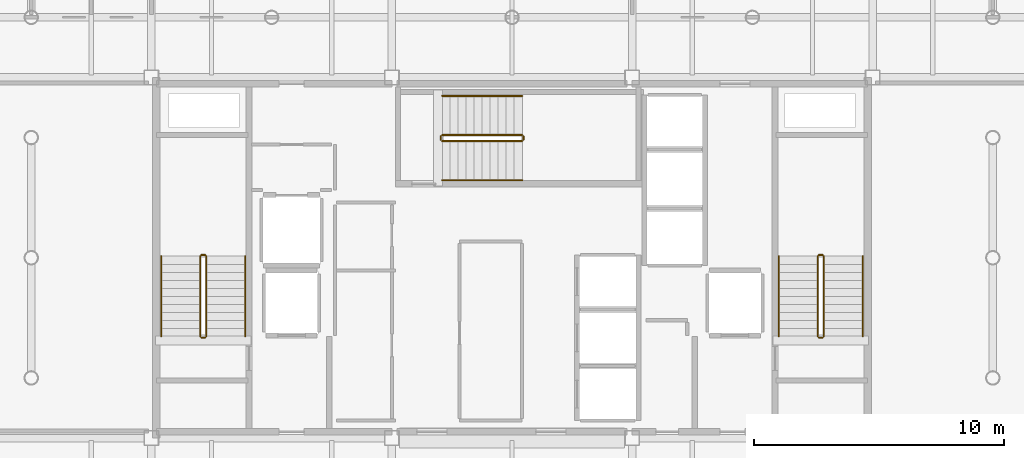
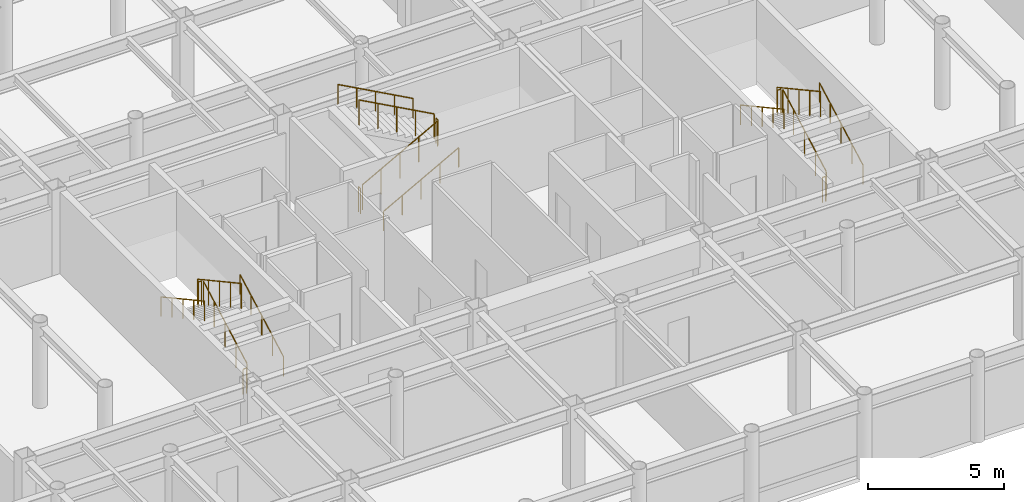
# One storey, part 21 of 21: 18 railings.
"""IFC4 building model written with IfcOpenShell, lengths in metres."""

from ifc_helpers import new_model, si_unit, direction, frame, origin, origin_2d, place, context, subcontext, project, spatial, circle, extrude, material, layer, layer_set, type_object, element, save


model = new_model("IFC4")

# Units and contexts
model_context = context("Model", 3, precision=1e-05, world=origin(), true_north=direction((0.0, 1.0)))
body_context = subcontext(model_context, "Body", "Model", "MODEL_VIEW")
ifc_project = project(units=[si_unit("LENGTHUNIT", "METRE"), si_unit("AREAUNIT", "SQUARE_METRE"), si_unit("VOLUMEUNIT", "CUBIC_METRE"), si_unit("PLANEANGLEUNIT", "RADIAN"), si_unit("MASSUNIT", "GRAM", prefix="KILO")], contexts=[model_context])

# Site, building, storey
site_placement = place(None, origin())
site = spatial("IfcSite", under=ifc_project, at=site_placement, CompositionType="ELEMENT")
building_placement = place(site_placement, origin())
building = spatial("IfcBuilding", under=site, at=building_placement, Name="Kallvorn Hotel Tower", CompositionType="ELEMENT")
storey_placement = place(building_placement, frame((0.0, 0.0, 268.5)))
storey = spatial("IfcBuildingStorey", under=building, at=storey_placement, Name="L67", CompositionType="ELEMENT", Elevation=268.5)

# Railings
ifc_material_1 = material(Name="Brushed stainless-steel tubular railing", Category="steel")
ifc_layer_1 = layer(ifc_material_1, 0.050048828125)
ifc_layer_set_1 = layer_set([ifc_layer_1], Name="RL_STAIR_GUARD")
railing_type_1 = type_object("IfcRailingType", Name="RL_STAIR_GUARD", PredefinedType="GUARDRAIL", material=ifc_layer_set_1)
railing_1_placement = place(storey_placement, frame((-12.2099609375, -3.139892578125, 0.175048828125)))
element("IfcRailing", 1, at=railing_1_placement, inside=storey, type_object=railing_type_1, Name="L67 ST1 stair guard 1", PredefinedType="GUARDRAIL", context=body_context, shape_type="SweptSolid", body=[
    extrude(circle(Radius=0.02392578125, at=origin_2d()), frame((0.0, 0.0, 1.1259765625), z_axis=(0.0, 0.877368057402, 0.479817977833), x_axis=(-1.0, 0.0, 0.0)), (0.0, 0.0, 1.0), 3.647216796875),
    extrude(circle(Radius=0.02099609375, at=origin_2d()), origin(), (0.0, 0.0, 1.0), 1.101806640625),
    extrude(circle(Radius=0.02099609375, at=origin_2d()), frame((0.0, 0.800048828125, 0.4375)), (0.0, 0.0, 1.0), 1.101806640625),
    extrude(circle(Radius=0.02099609375, at=origin_2d()), frame((0.0, 1.60009765625, 0.875)), (0.0, 0.0, 1.0), 1.101806640625),
    extrude(circle(Radius=0.02099609375, at=origin_2d()), frame((0.0, 2.39990234375, 1.3125)), (0.0, 0.0, 1.0), 1.101806640625),
    extrude(circle(Radius=0.02099609375, at=origin_2d()), frame((0.0, 3.199951171875, 1.75)), (0.0, 0.0, 1.0), 1.101806640625),
])
railing_2_placement = place(storey_placement, frame((-12.260009765625, 0.110107421875, 1.925048828125)))
element("IfcRailing", 2, at=railing_2_placement, inside=storey, type_object=railing_type_1, Name="L67 ST1 stair guard 2", PredefinedType="GUARDRAIL", context=body_context, shape_type="SweptSolid", body=[
    extrude(circle(Radius=0.02392578125, at=origin_2d()), frame((0.0, 0.0, 1.1259765625), z_axis=(-1.0, 0.0, 0.0), x_axis=(0.0, -1.0, 0.0)), (0.0, 0.0, 1.0), 0.139892578125),
    extrude(circle(Radius=0.02099609375, at=origin_2d()), origin(), (0.0, 0.0, 1.0), 1.101806640625),
    extrude(circle(Radius=0.02099609375, at=origin_2d()), frame((-0.139892578125, 0.0, 0.0)), (0.0, 0.0, 1.0), 1.101806640625),
])
railing_3_placement = place(storey_placement, frame((-12.449951171875, 0.06005859375, 2.10009765625)))
element("IfcRailing", 3, at=railing_3_placement, inside=storey, type_object=railing_type_1, Name="L67 ST1 stair guard 3", PredefinedType="GUARDRAIL", context=body_context, shape_type="SweptSolid", body=[
    extrude(circle(Radius=0.02392578125, at=origin_2d()), frame((0.0, 0.0, 1.1259765625), z_axis=(0.0, -0.877368057402, 0.479817977833), x_axis=(1.0, 0.0, 0.0)), (0.0, 0.0, 1.0), 3.647216796875),
    extrude(circle(Radius=0.02099609375, at=origin_2d()), origin(), (0.0, 0.0, 1.0), 1.101806640625),
    extrude(circle(Radius=0.02099609375, at=origin_2d()), frame((0.0, -0.800048828125, 0.4375)), (0.0, 0.0, 1.0), 1.101806640625),
    extrude(circle(Radius=0.02099609375, at=origin_2d()), frame((0.0, -1.60009765625, 0.875)), (0.0, 0.0, 1.0), 1.101806640625),
    extrude(circle(Radius=0.02099609375, at=origin_2d()), frame((0.0, -2.39990234375, 1.3125)), (0.0, 0.0, 1.0), 1.101806640625),
    extrude(circle(Radius=0.02099609375, at=origin_2d()), frame((0.0, -3.199951171875, 1.75)), (0.0, 0.0, 1.0), 1.101806640625),
])
railing_4_placement = place(storey_placement, frame((-12.260009765625, -3.18994140625, 0.0)))
element("IfcRailing", 4, at=railing_4_placement, inside=storey, type_object=railing_type_1, Name="L67 ST1 stair guard 4", PredefinedType="GUARDRAIL", context=body_context, shape_type="SweptSolid", body=[
    extrude(circle(Radius=0.02392578125, at=origin_2d()), frame((0.0, 0.0, 1.1259765625), z_axis=(-1.0, 0.0, 0.0), x_axis=(0.0, -1.0, 0.0)), (0.0, 0.0, 1.0), 0.139892578125),
    extrude(circle(Radius=0.02099609375, at=origin_2d()), origin(), (0.0, 0.0, 1.0), 1.101806640625),
    extrude(circle(Radius=0.02099609375, at=origin_2d()), frame((-0.139892578125, 0.0, 0.0)), (0.0, 0.0, 1.0), 1.101806640625),
])
railing_5_placement = place(storey_placement, frame((12.449951171875, -3.139892578125, 0.175048828125)))
element("IfcRailing", 5, at=railing_5_placement, inside=storey, type_object=railing_type_1, Name="L67 ST2 stair guard 1", PredefinedType="GUARDRAIL", context=body_context, shape_type="SweptSolid", body=[
    extrude(circle(Radius=0.02392578125, at=origin_2d()), frame((0.0, 0.0, 1.1259765625), z_axis=(0.0, 0.877368057402, 0.479817977833), x_axis=(-1.0, 0.0, 0.0)), (0.0, 0.0, 1.0), 3.647216796875),
    extrude(circle(Radius=0.02099609375, at=origin_2d()), origin(), (0.0, 0.0, 1.0), 1.101806640625),
    extrude(circle(Radius=0.02099609375, at=origin_2d()), frame((0.0, 0.800048828125, 0.4375)), (0.0, 0.0, 1.0), 1.101806640625),
    extrude(circle(Radius=0.02099609375, at=origin_2d()), frame((0.0, 1.60009765625, 0.875)), (0.0, 0.0, 1.0), 1.101806640625),
    extrude(circle(Radius=0.02099609375, at=origin_2d()), frame((0.0, 2.39990234375, 1.3125)), (0.0, 0.0, 1.0), 1.101806640625),
    extrude(circle(Radius=0.02099609375, at=origin_2d()), frame((0.0, 3.199951171875, 1.75)), (0.0, 0.0, 1.0), 1.101806640625),
])
railing_6_placement = place(storey_placement, frame((12.39990234375, 0.110107421875, 1.925048828125)))
element("IfcRailing", 6, at=railing_6_placement, inside=storey, type_object=railing_type_1, Name="L67 ST2 stair guard 2", PredefinedType="GUARDRAIL", context=body_context, shape_type="SweptSolid", body=[
    extrude(circle(Radius=0.02392578125, at=origin_2d()), frame((0.0, 0.0, 1.1259765625), z_axis=(-1.0, 0.0, 0.0), x_axis=(0.0, -1.0, 0.0)), (0.0, 0.0, 1.0), 0.139892578125),
    extrude(circle(Radius=0.02099609375, at=origin_2d()), origin(), (0.0, 0.0, 1.0), 1.101806640625),
    extrude(circle(Radius=0.02099609375, at=origin_2d()), frame((-0.139892578125, 0.0, 0.0)), (0.0, 0.0, 1.0), 1.101806640625),
])
railing_7_placement = place(storey_placement, frame((12.2099609375, 0.06005859375, 2.10009765625)))
element("IfcRailing", 7, at=railing_7_placement, inside=storey, type_object=railing_type_1, Name="L67 ST2 stair guard 3", PredefinedType="GUARDRAIL", context=body_context, shape_type="SweptSolid", body=[
    extrude(circle(Radius=0.02392578125, at=origin_2d()), frame((0.0, 0.0, 1.1259765625), z_axis=(0.0, -0.877368057402, 0.479817977833), x_axis=(1.0, 0.0, 0.0)), (0.0, 0.0, 1.0), 3.647216796875),
    extrude(circle(Radius=0.02099609375, at=origin_2d()), origin(), (0.0, 0.0, 1.0), 1.101806640625),
    extrude(circle(Radius=0.02099609375, at=origin_2d()), frame((0.0, -0.800048828125, 0.4375)), (0.0, 0.0, 1.0), 1.101806640625),
    extrude(circle(Radius=0.02099609375, at=origin_2d()), frame((0.0, -1.60009765625, 0.875)), (0.0, 0.0, 1.0), 1.101806640625),
    extrude(circle(Radius=0.02099609375, at=origin_2d()), frame((0.0, -2.39990234375, 1.3125)), (0.0, 0.0, 1.0), 1.101806640625),
    extrude(circle(Radius=0.02099609375, at=origin_2d()), frame((0.0, -3.199951171875, 1.75)), (0.0, 0.0, 1.0), 1.101806640625),
])
railing_8_placement = place(storey_placement, frame((12.39990234375, -3.18994140625, 0.0)))
element("IfcRailing", 8, at=railing_8_placement, inside=storey, type_object=railing_type_1, Name="L67 ST2 stair guard 4", PredefinedType="GUARDRAIL", context=body_context, shape_type="SweptSolid", body=[
    extrude(circle(Radius=0.02392578125, at=origin_2d()), frame((0.0, 0.0, 1.1259765625), z_axis=(-1.0, 0.0, 0.0), x_axis=(0.0, -1.0, 0.0)), (0.0, 0.0, 1.0), 0.139892578125),
    extrude(circle(Radius=0.02099609375, at=origin_2d()), origin(), (0.0, 0.0, 1.0), 1.101806640625),
    extrude(circle(Radius=0.02099609375, at=origin_2d()), frame((-0.139892578125, 0.0, 0.0)), (0.0, 0.0, 1.0), 1.101806640625),
])
railing_9_placement = place(storey_placement, frame((-2.7900390625, 4.659912109375, 0.175048828125)))
element("IfcRailing", 9, at=railing_9_placement, inside=storey, type_object=railing_type_1, Name="L67 ST3 stair guard 1", PredefinedType="GUARDRAIL", context=body_context, shape_type="SweptSolid", body=[
    extrude(circle(Radius=0.02392578125, at=origin_2d()), frame((0.0, 0.0, 1.1259765625), z_axis=(0.877368057402, 0.0, 0.479817977833), x_axis=(0.0, 1.0, 0.0)), (0.0, 0.0, 1.0), 3.647216796875),
    extrude(circle(Radius=0.02099609375, at=origin_2d()), origin(), (0.0, 0.0, 1.0), 1.101806640625),
    extrude(circle(Radius=0.02099609375, at=origin_2d()), frame((0.800048828125, 0.0, 0.4375)), (0.0, 0.0, 1.0), 1.101806640625),
    extrude(circle(Radius=0.02099609375, at=origin_2d()), frame((1.60009765625, 0.0, 0.875)), (0.0, 0.0, 1.0), 1.101806640625),
    extrude(circle(Radius=0.02099609375, at=origin_2d()), frame((2.39990234375, 0.0, 1.3125)), (0.0, 0.0, 1.0), 1.101806640625),
    extrude(circle(Radius=0.02099609375, at=origin_2d()), frame((3.199951171875, 0.0, 1.75)), (0.0, 0.0, 1.0), 1.101806640625),
])
railing_10_placement = place(storey_placement, frame((0.4599609375, 4.7099609375, 1.925048828125)))
element("IfcRailing", 10, at=railing_10_placement, inside=storey, type_object=railing_type_1, Name="L67 ST3 stair guard 2", PredefinedType="GUARDRAIL", context=body_context, shape_type="SweptSolid", body=[
    extrude(circle(Radius=0.02392578125, at=origin_2d()), frame((0.0, 0.0, 1.1259765625), z_axis=(0.0, 1.0, 0.0), x_axis=(-1.0, 0.0, 0.0)), (0.0, 0.0, 1.0), 0.14013671875),
    extrude(circle(Radius=0.02099609375, at=origin_2d()), origin(), (0.0, 0.0, 1.0), 1.101806640625),
    extrude(circle(Radius=0.02099609375, at=origin_2d()), frame((0.0, 0.14013671875, 0.0)), (0.0, 0.0, 1.0), 1.101806640625),
])
railing_11_placement = place(storey_placement, frame((0.409912109375, 4.89990234375, 2.10009765625)))
element("IfcRailing", 11, at=railing_11_placement, inside=storey, type_object=railing_type_1, Name="L67 ST3 stair guard 3", PredefinedType="GUARDRAIL", context=body_context, shape_type="SweptSolid", body=[
    extrude(circle(Radius=0.02392578125, at=origin_2d()), frame((0.0, 0.0, 1.1259765625), z_axis=(-0.877368057402, 0.0, 0.479817977833), x_axis=(0.0, -1.0, 0.0)), (0.0, 0.0, 1.0), 3.647216796875),
    extrude(circle(Radius=0.02099609375, at=origin_2d()), origin(), (0.0, 0.0, 1.0), 1.101806640625),
    extrude(circle(Radius=0.02099609375, at=origin_2d()), frame((-0.800048828125, 0.0, 0.4375)), (0.0, 0.0, 1.0), 1.101806640625),
    extrude(circle(Radius=0.02099609375, at=origin_2d()), frame((-1.60009765625, 0.0, 0.875)), (0.0, 0.0, 1.0), 1.101806640625),
    extrude(circle(Radius=0.02099609375, at=origin_2d()), frame((-2.39990234375, 0.0, 1.3125)), (0.0, 0.0, 1.0), 1.101806640625),
    extrude(circle(Radius=0.02099609375, at=origin_2d()), frame((-3.199951171875, 0.0, 1.75)), (0.0, 0.0, 1.0), 1.101806640625),
])
railing_12_placement = place(storey_placement, frame((-2.840087890625, 4.7099609375, 0.0)))
element("IfcRailing", 12, at=railing_12_placement, inside=storey, type_object=railing_type_1, Name="L67 ST3 stair guard 4", PredefinedType="GUARDRAIL", context=body_context, shape_type="SweptSolid", body=[
    extrude(circle(Radius=0.02392578125, at=origin_2d()), frame((0.0, 0.0, 1.1259765625), z_axis=(0.0, 1.0, 0.0), x_axis=(-1.0, 0.0, 0.0)), (0.0, 0.0, 1.0), 0.14013671875),
    extrude(circle(Radius=0.02099609375, at=origin_2d()), origin(), (0.0, 0.0, 1.0), 1.101806640625),
    extrude(circle(Radius=0.02099609375, at=origin_2d()), frame((0.0, 0.14013671875, 0.0)), (0.0, 0.0, 1.0), 1.101806640625),
])
ifc_material_2 = material(Name="Brushed stainless-steel tubular railing", Category="steel")
ifc_layer_2 = layer(ifc_material_2, 0.050048828125)
ifc_layer_set_2 = layer_set([ifc_layer_2], Name="RL_STAIR_HAND")
railing_type_2 = type_object("IfcRailingType", Name="RL_STAIR_HAND", PredefinedType="HANDRAIL", material=ifc_layer_set_2)
railing_13_placement = place(storey_placement, frame((-10.64990234375, -3.139892578125, 0.175048828125)))
element("IfcRailing", 13, at=railing_13_placement, inside=storey, type_object=railing_type_2, Name="L67 ST1 stair handrail 1", PredefinedType="HANDRAIL", context=body_context, shape_type="SweptSolid", body=[
    extrude(circle(Radius=0.02392578125, at=origin_2d()), frame((0.0, 0.0, 0.8759765625), z_axis=(0.0, 0.877368057402, 0.479817977833), x_axis=(-1.0, 0.0, 0.0)), (0.0, 0.0, 1.0), 3.647216796875),
    extrude(circle(Radius=0.02099609375, at=origin_2d()), origin(), (0.0, 0.0, 1.0), 0.851806640625),
    extrude(circle(Radius=0.02099609375, at=origin_2d()), frame((0.0, 0.800048828125, 0.4375)), (0.0, 0.0, 1.0), 0.851806640625),
    extrude(circle(Radius=0.02099609375, at=origin_2d()), frame((0.0, 1.60009765625, 0.875)), (0.0, 0.0, 1.0), 0.851806640625),
    extrude(circle(Radius=0.02099609375, at=origin_2d()), frame((0.0, 2.39990234375, 1.3125)), (0.0, 0.0, 1.0), 0.851806640625),
    extrude(circle(Radius=0.02099609375, at=origin_2d()), frame((0.0, 3.199951171875, 1.75)), (0.0, 0.0, 1.0), 0.851806640625),
])
railing_14_placement = place(storey_placement, frame((-14.010009765625, 0.06005859375, 2.10009765625)))
element("IfcRailing", 14, at=railing_14_placement, inside=storey, type_object=railing_type_2, Name="L67 ST1 stair handrail 2", PredefinedType="HANDRAIL", context=body_context, shape_type="SweptSolid", body=[
    extrude(circle(Radius=0.02392578125, at=origin_2d()), frame((0.0, 0.0, 0.8759765625), z_axis=(0.0, -0.877368057402, 0.479817977833), x_axis=(1.0, 0.0, 0.0)), (0.0, 0.0, 1.0), 3.647216796875),
    extrude(circle(Radius=0.02099609375, at=origin_2d()), origin(), (0.0, 0.0, 1.0), 0.851806640625),
    extrude(circle(Radius=0.02099609375, at=origin_2d()), frame((0.0, -0.800048828125, 0.4375)), (0.0, 0.0, 1.0), 0.851806640625),
    extrude(circle(Radius=0.02099609375, at=origin_2d()), frame((0.0, -1.60009765625, 0.875)), (0.0, 0.0, 1.0), 0.851806640625),
    extrude(circle(Radius=0.02099609375, at=origin_2d()), frame((0.0, -2.39990234375, 1.3125)), (0.0, 0.0, 1.0), 0.851806640625),
    extrude(circle(Radius=0.02099609375, at=origin_2d()), frame((0.0, -3.199951171875, 1.75)), (0.0, 0.0, 1.0), 0.851806640625),
])
railing_15_placement = place(storey_placement, frame((14.010009765625, -3.139892578125, 0.175048828125)))
element("IfcRailing", 15, at=railing_15_placement, inside=storey, type_object=railing_type_2, Name="L67 ST2 stair handrail 1", PredefinedType="HANDRAIL", context=body_context, shape_type="SweptSolid", body=[
    extrude(circle(Radius=0.02392578125, at=origin_2d()), frame((0.0, 0.0, 0.8759765625), z_axis=(0.0, 0.877368057402, 0.479817977833), x_axis=(-1.0, 0.0, 0.0)), (0.0, 0.0, 1.0), 3.647216796875),
    extrude(circle(Radius=0.02099609375, at=origin_2d()), origin(), (0.0, 0.0, 1.0), 0.851806640625),
    extrude(circle(Radius=0.02099609375, at=origin_2d()), frame((0.0, 0.800048828125, 0.4375)), (0.0, 0.0, 1.0), 0.851806640625),
    extrude(circle(Radius=0.02099609375, at=origin_2d()), frame((0.0, 1.60009765625, 0.875)), (0.0, 0.0, 1.0), 0.851806640625),
    extrude(circle(Radius=0.02099609375, at=origin_2d()), frame((0.0, 2.39990234375, 1.3125)), (0.0, 0.0, 1.0), 0.851806640625),
    extrude(circle(Radius=0.02099609375, at=origin_2d()), frame((0.0, 3.199951171875, 1.75)), (0.0, 0.0, 1.0), 0.851806640625),
])
railing_16_placement = place(storey_placement, frame((10.64990234375, 0.06005859375, 2.10009765625)))
element("IfcRailing", 16, at=railing_16_placement, inside=storey, type_object=railing_type_2, Name="L67 ST2 stair handrail 2", PredefinedType="HANDRAIL", context=body_context, shape_type="SweptSolid", body=[
    extrude(circle(Radius=0.02392578125, at=origin_2d()), frame((0.0, 0.0, 0.8759765625), z_axis=(0.0, -0.877368057402, 0.479817977833), x_axis=(1.0, 0.0, 0.0)), (0.0, 0.0, 1.0), 3.647216796875),
    extrude(circle(Radius=0.02099609375, at=origin_2d()), origin(), (0.0, 0.0, 1.0), 0.851806640625),
    extrude(circle(Radius=0.02099609375, at=origin_2d()), frame((0.0, -0.800048828125, 0.4375)), (0.0, 0.0, 1.0), 0.851806640625),
    extrude(circle(Radius=0.02099609375, at=origin_2d()), frame((0.0, -1.60009765625, 0.875)), (0.0, 0.0, 1.0), 0.851806640625),
    extrude(circle(Radius=0.02099609375, at=origin_2d()), frame((0.0, -2.39990234375, 1.3125)), (0.0, 0.0, 1.0), 0.851806640625),
    extrude(circle(Radius=0.02099609375, at=origin_2d()), frame((0.0, -3.199951171875, 1.75)), (0.0, 0.0, 1.0), 0.851806640625),
])
railing_17_placement = place(storey_placement, frame((-2.7900390625, 3.10009765625, 0.175048828125)))
element("IfcRailing", 17, at=railing_17_placement, inside=storey, type_object=railing_type_2, Name="L67 ST3 stair handrail 1", PredefinedType="HANDRAIL", context=body_context, shape_type="SweptSolid", body=[
    extrude(circle(Radius=0.02392578125, at=origin_2d()), frame((0.0, 0.0, 0.8759765625), z_axis=(0.877368057402, 0.0, 0.479817977833), x_axis=(0.0, 1.0, 0.0)), (0.0, 0.0, 1.0), 3.647216796875),
    extrude(circle(Radius=0.02099609375, at=origin_2d()), origin(), (0.0, 0.0, 1.0), 0.851806640625),
    extrude(circle(Radius=0.02099609375, at=origin_2d()), frame((0.800048828125, 0.0, 0.4375)), (0.0, 0.0, 1.0), 0.851806640625),
    extrude(circle(Radius=0.02099609375, at=origin_2d()), frame((1.60009765625, 0.0, 0.875)), (0.0, 0.0, 1.0), 0.851806640625),
    extrude(circle(Radius=0.02099609375, at=origin_2d()), frame((2.39990234375, 0.0, 1.3125)), (0.0, 0.0, 1.0), 0.851806640625),
    extrude(circle(Radius=0.02099609375, at=origin_2d()), frame((3.199951171875, 0.0, 1.75)), (0.0, 0.0, 1.0), 0.851806640625),
])
railing_18_placement = place(storey_placement, frame((0.409912109375, 6.4599609375, 2.10009765625)))
element("IfcRailing", 18, at=railing_18_placement, inside=storey, type_object=railing_type_2, Name="L67 ST3 stair handrail 2", PredefinedType="HANDRAIL", context=body_context, shape_type="SweptSolid", body=[
    extrude(circle(Radius=0.02392578125, at=origin_2d()), frame((0.0, 0.0, 0.8759765625), z_axis=(-0.877368057402, 0.0, 0.479817977833), x_axis=(0.0, -1.0, 0.0)), (0.0, 0.0, 1.0), 3.647216796875),
    extrude(circle(Radius=0.02099609375, at=origin_2d()), origin(), (0.0, 0.0, 1.0), 0.851806640625),
    extrude(circle(Radius=0.02099609375, at=origin_2d()), frame((-0.800048828125, 0.0, 0.4375)), (0.0, 0.0, 1.0), 0.851806640625),
    extrude(circle(Radius=0.02099609375, at=origin_2d()), frame((-1.60009765625, 0.0, 0.875)), (0.0, 0.0, 1.0), 0.851806640625),
    extrude(circle(Radius=0.02099609375, at=origin_2d()), frame((-2.39990234375, 0.0, 1.3125)), (0.0, 0.0, 1.0), 0.851806640625),
    extrude(circle(Radius=0.02099609375, at=origin_2d()), frame((-3.199951171875, 0.0, 1.75)), (0.0, 0.0, 1.0), 0.851806640625),
])

save(model, "model.ifc")
